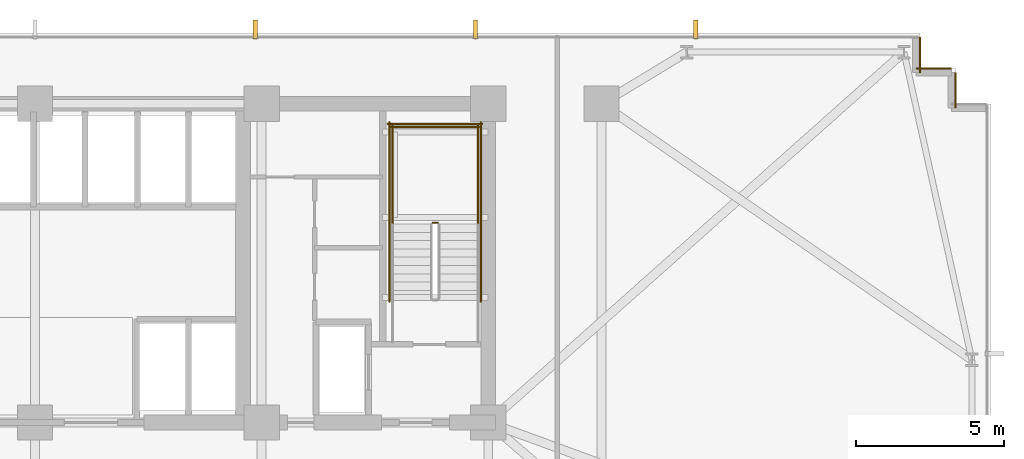
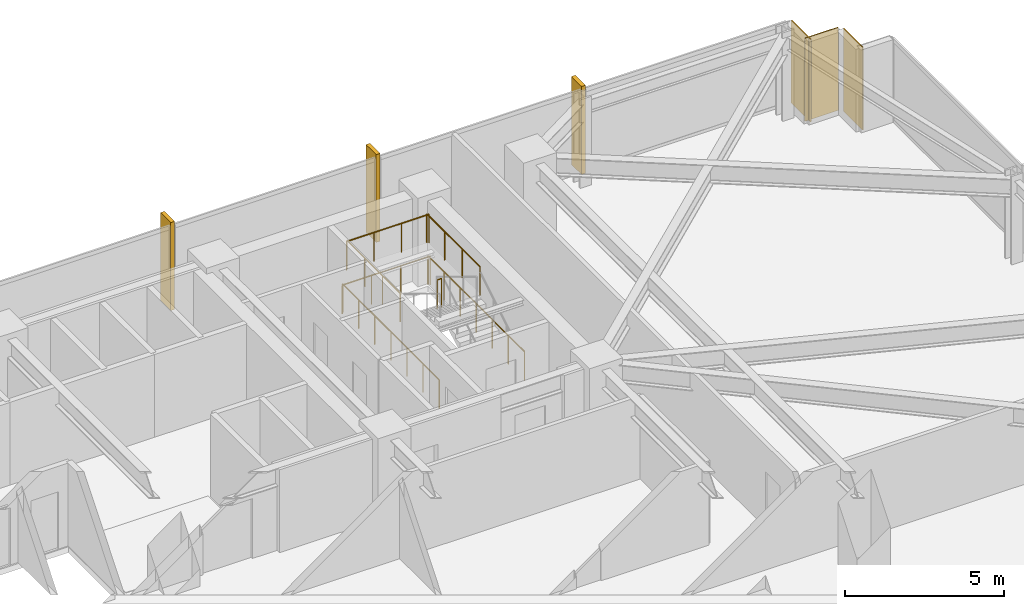
# One storey, part 32 of 33: 7 railings, 3 coverings, 3 shading devices.
"""IFC4 building model written with IfcOpenShell, lengths in metres."""

from ifc_helpers import new_model, si_unit, direction, frame, frame_2d, origin, origin_2d, place, context, subcontext, project, spatial, rectangle, circle, extrude, material, layer, layer_set, type_object, element, save


model = new_model("IFC4")

# Units and contexts
model_context = context("Model", 3, precision=1e-05, world=origin(), true_north=direction((0.0, 1.0)))
body_context = subcontext(model_context, "Body", "Model", "MODEL_VIEW")
ifc_project = project(units=[si_unit("LENGTHUNIT", "METRE"), si_unit("AREAUNIT", "SQUARE_METRE"), si_unit("VOLUMEUNIT", "CUBIC_METRE"), si_unit("PLANEANGLEUNIT", "RADIAN"), si_unit("MASSUNIT", "GRAM", prefix="KILO")], contexts=[model_context])

# Site, building, storey
site_placement = place(None, origin())
site = spatial("IfcSite", under=ifc_project, at=site_placement, CompositionType="ELEMENT")
building_placement = place(site_placement, origin())
building = spatial("IfcBuilding", under=site, at=building_placement, Name="Yelkora Congress Tower", CompositionType="ELEMENT")
storey_placement = place(building_placement, frame((0.0, 0.0, 54.199951171875)))
storey = spatial("IfcBuildingStorey", under=building, at=storey_placement, Name="L13", CompositionType="ELEMENT", Elevation=54.199951171875)

# Coverings
ifc_material_1 = material(Name="Anatolian bush-hammered limestone", Category="masonry")
ifc_layer_1 = layer(ifc_material_1, 0.0400390625)
ifc_layer_set_1 = layer_set([ifc_layer_1], Name="Anatolian bush-hammered limestone")
covering_type = type_object("IfcCoveringType", Name="COV-CLAD-SPANDREL-40", PredefinedType="CLADDING", material=ifc_layer_set_1)
for number, where, z_axis, x_axis, name in (
    (1, (68.39501953125, 48.4599609375, 0.0), (0.0, 0.0, 1.0), (0.0, -1.0, 0.0), "L13 Anatolian Limestone Cladding EW-L13-SR11"),
    (2, (68.260009765625, 47.39501953125, 0.0), (0.0, 0.0, 1.0), (1.0, 0.0, 0.0), "L13 Anatolian Limestone Cladding EW-L13-SR12"),
    (3, (69.594970703125, 47.260009765625, 0.0), (0.0, 0.0, 1.0), (0.0, -1.0, 0.0), "L13 Anatolian Limestone Cladding EW-L13-SR13"),
):
    element("IfcCovering", number, at=place(storey_placement, frame(where, z_axis=z_axis, x_axis=x_axis)), inside=storey, type_object=covering_type, Name=name, PredefinedType="CLADDING", context=body_context, shape_type="SweptSolid", body=[
        extrude(rectangle(XDim=1.199951171875, YDim=0.0400390625, at=frame_2d((0.60009765625, 0.0))), origin(), (0.0, 0.0, 1.0), 3.179931640625),
    ])

# Railings
ifc_material_2 = material(Name="Painted galvanised steel stair well guard with vertical infill", Category="steel")
ifc_layer_2 = layer(ifc_material_2, 0.06005859375)
ifc_layer_set_2 = layer_set([ifc_layer_2], Name="Painted galvanised steel stair well guard with vertical infill")
railing_type = type_object("IfcRailingType", Name="RAIL-STAIR-GUARD-1120", PredefinedType="GUARDRAIL", material=ifc_layer_set_2)
railing_1_placement = place(storey_placement, frame((52.0400390625, 42.169921875, 1.699951171875)))
element("IfcRailing", 4, at=railing_1_placement, inside=storey, type_object=railing_type, Name="ST-02 L13 Stair Well Guardrail 2", PredefinedType="GUARDRAIL", context=body_context, shape_type="SweptSolid", body=[
    extrude(circle(Radius=0.02392578125, at=origin_2d()), frame((0.0, 0.0, 1.09619140625), z_axis=(-1.0, 0.0, 0.0), x_axis=(0.0, -1.0, 0.0)), (0.0, 0.0, 1.0), 0.16015625),
    extrude(circle(Radius=0.02099609375, at=origin_2d()), origin(), (0.0, 0.0, 1.0), 1.072021484375),
    extrude(circle(Radius=0.02099609375, at=origin_2d()), frame((-0.16015625, 0.0, 0.0)), (0.0, 0.0, 1.0), 1.072021484375),
])
for number, where, name in (
    (5, (53.409912109375, 42.1201171875, 1.699951171875), "ST-02 L13 Stair Well Guardrail 3"),
    (6, (50.510009765625, 42.1201171875, 1.699951171875), "ST-02 L13 Stair Well Guardrail 4"),
):
    element("IfcRailing", number, at=place(storey_placement, frame(where)), inside=storey, type_object=railing_type, Name=name, PredefinedType="GUARDRAIL", context=body_context, shape_type="SweptSolid", body=[
        extrude(circle(Radius=0.02392578125, at=origin_2d()), frame((0.0, 0.0, 1.09619140625), z_axis=(0.0, 1.0, 0.0), x_axis=(-1.0, 0.0, 0.0)), (0.0, 0.0, 1.0), 3.349853515625),
        extrude(circle(Radius=0.02099609375, at=origin_2d()), origin(), (0.0, 0.0, 1.0), 1.072021484375),
        extrude(circle(Radius=0.02099609375, at=origin_2d()), frame((0.0, 1.11669921875, 0.0)), (0.0, 0.0, 1.0), 1.072021484375),
        extrude(circle(Radius=0.02099609375, at=origin_2d()), frame((0.0, 2.233154296875, 0.0)), (0.0, 0.0, 1.0), 1.072021484375),
        extrude(circle(Radius=0.02099609375, at=origin_2d()), frame((0.0, 3.349853515625, 0.0)), (0.0, 0.0, 1.0), 1.072021484375),
    ])
railing_2_placement = place(storey_placement, frame((53.4599609375, 45.419921875, 1.699951171875)))
element("IfcRailing", 7, at=railing_2_placement, inside=storey, type_object=railing_type, Name="ST-02 L13 Stair Well Guardrail 5", PredefinedType="GUARDRAIL", context=body_context, shape_type="SweptSolid", body=[
    extrude(circle(Radius=0.02392578125, at=origin_2d()), frame((0.0, 0.0, 1.09619140625), z_axis=(-1.0, 0.0, 0.0), x_axis=(0.0, -1.0, 0.0)), (0.0, 0.0, 1.0), 3.0),
    extrude(circle(Radius=0.02099609375, at=origin_2d()), origin(), (0.0, 0.0, 1.0), 1.072021484375),
    extrude(circle(Radius=0.02099609375, at=origin_2d()), frame((-1.0, 0.0, 0.0)), (0.0, 0.0, 1.0), 1.072021484375),
    extrude(circle(Radius=0.02099609375, at=origin_2d()), frame((-2.0, 0.0, 0.0)), (0.0, 0.0, 1.0), 1.072021484375),
    extrude(circle(Radius=0.02099609375, at=origin_2d()), frame((-3.0, 0.0, 0.0)), (0.0, 0.0, 1.0), 1.072021484375),
])
for number, where, name in (
    (8, (53.510009765625, 39.5, 0.0), "ST-02 L13 Stair Well Guardrail 10"),
    (9, (50.409912109375, 39.5, 0.0), "ST-02 L13 Stair Well Guardrail 11"),
):
    element("IfcRailing", number, at=place(storey_placement, frame(where)), inside=storey, type_object=railing_type, Name=name, PredefinedType="GUARDRAIL", context=body_context, shape_type="SweptSolid", body=[
        extrude(circle(Radius=0.02392578125, at=origin_2d()), frame((0.0, 0.0, 1.09619140625), z_axis=(0.0, 1.0, 0.0), x_axis=(-1.0, 0.0, 0.0)), (0.0, 0.0, 1.0), 6.070068359375),
        extrude(circle(Radius=0.02099609375, at=origin_2d()), origin(), (0.0, 0.0, 1.0), 1.072021484375),
        extrude(circle(Radius=0.02099609375, at=origin_2d()), frame((0.0, 1.01171875, 0.0)), (0.0, 0.0, 1.0), 1.072021484375),
        extrude(circle(Radius=0.02099609375, at=origin_2d()), frame((0.0, 2.0234375, 0.0)), (0.0, 0.0, 1.0), 1.072021484375),
        extrude(circle(Radius=0.02099609375, at=origin_2d()), frame((0.0, 3.03515625, 0.0)), (0.0, 0.0, 1.0), 1.072021484375),
        extrude(circle(Radius=0.02099609375, at=origin_2d()), frame((0.0, 4.046630859375, 0.0)), (0.0, 0.0, 1.0), 1.072021484375),
        extrude(circle(Radius=0.02099609375, at=origin_2d()), frame((0.0, 5.058349609375, 0.0)), (0.0, 0.0, 1.0), 1.072021484375),
        extrude(circle(Radius=0.02099609375, at=origin_2d()), frame((0.0, 6.070068359375, 0.0)), (0.0, 0.0, 1.0), 1.072021484375),
    ])
railing_3_placement = place(storey_placement, frame((53.56005859375, 45.52001953125, 0.0)))
element("IfcRailing", 10, at=railing_3_placement, inside=storey, type_object=railing_type, Name="ST-02 L13 Stair Well Guardrail 12", PredefinedType="GUARDRAIL", context=body_context, shape_type="SweptSolid", body=[
    extrude(circle(Radius=0.02392578125, at=origin_2d()), frame((0.0, 0.0, 1.09619140625), z_axis=(-1.0, 0.0, 0.0), x_axis=(0.0, -1.0, 0.0)), (0.0, 0.0, 1.0), 3.199951171875),
    extrude(circle(Radius=0.02099609375, at=origin_2d()), origin(), (0.0, 0.0, 1.0), 1.072021484375),
    extrude(circle(Radius=0.02099609375, at=origin_2d()), frame((-1.066650390625, 0.0, 0.0)), (0.0, 0.0, 1.0), 1.072021484375),
    extrude(circle(Radius=0.02099609375, at=origin_2d()), frame((-2.13330078125, 0.0, 0.0)), (0.0, 0.0, 1.0), 1.072021484375),
    extrude(circle(Radius=0.02099609375, at=origin_2d()), frame((-3.199951171875, 0.0, 0.0)), (0.0, 0.0, 1.0), 1.072021484375),
])

# Shading devices
ifc_material_3 = material(Name="Champagne anodised aluminium", Category="aluminium")
ifc_layer_3 = layer(ifc_material_3, 3.39990234375)
ifc_layer_set_3 = layer_set([ifc_layer_3], Name="Champagne anodised aluminium")
shading_device_type = type_object("IfcShadingDeviceType", Name="SHD-FIN-ALU-640", PredefinedType="USERDEFINED", material=ifc_layer_set_3)
for number, where, z_axis, x_axis, name in (
    (11, (45.864990234375, 48.719970703125, -0.02978515625), (0.0, 0.0, 1.0), (1.0, 0.0, 0.0), "L13 Vertical Anodised Solar Fin 10-5"),
    (12, (53.330078125, 48.719970703125, -0.02978515625), (0.0, 0.0, 1.0), (1.0, 0.0, 0.0), "L13 Vertical Anodised Solar Fin 10-6"),
    (13, (60.794921875, 48.719970703125, -0.02978515625), (0.0, 0.0, 1.0), (1.0, 0.0, 0.0), "L13 Vertical Anodised Solar Fin 10-7"),
):
    element("IfcShadingDevice", number, at=place(storey_placement, frame(where, z_axis=z_axis, x_axis=x_axis)), inside=storey, type_object=shading_device_type, Name=name, ObjectType="FIN", PredefinedType="USERDEFINED", context=body_context, shape_type="SweptSolid", body=[
        extrude(rectangle(XDim=0.139892578125, YDim=0.639892578125, at=origin_2d()), origin(), (0.0, 0.0, 1.0), 3.3798828125),
    ])

save(model, "model.ifc")
